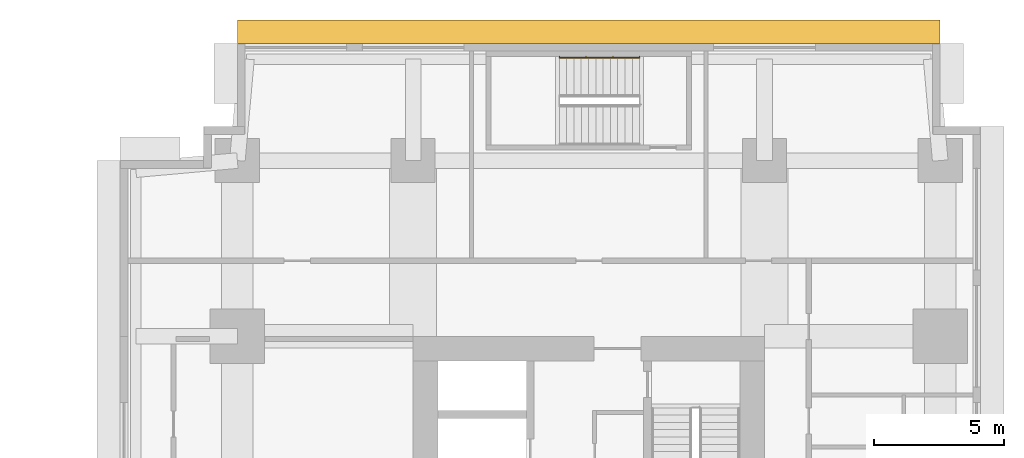
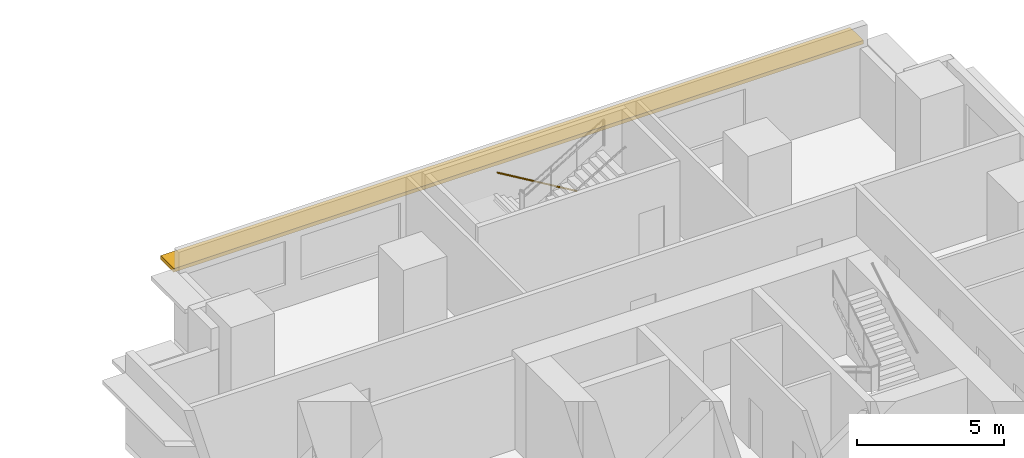
# One storey, part 11 of 11: 1 railing, 1 shading device.
"""IFC4 building model written with IfcOpenShell, lengths in metres."""

from ifc_helpers import new_model, si_unit, direction, frame, origin, origin_2d, place, context, subcontext, project, spatial, rectangle, circle, extrude, material, layer, layer_set, type_object, element, save


model = new_model("IFC4")

# Units and contexts
model_context = context("Model", 3, precision=1e-05, world=origin(), true_north=direction((0.0, 1.0)))
body_context = subcontext(model_context, "Body", "Model", "MODEL_VIEW")
ifc_project = project(units=[si_unit("LENGTHUNIT", "METRE"), si_unit("AREAUNIT", "SQUARE_METRE"), si_unit("VOLUMEUNIT", "CUBIC_METRE"), si_unit("PLANEANGLEUNIT", "RADIAN"), si_unit("MASSUNIT", "GRAM", prefix="KILO")], contexts=[model_context])

# Site, building, storey
site_placement = place(None, origin())
site = spatial("IfcSite", under=ifc_project, at=site_placement, CompositionType="ELEMENT")
building_placement = place(site_placement, origin())
building = spatial("IfcBuilding", under=site, at=building_placement, Name="Namib Vertical Campus", CompositionType="ELEMENT")
storey_placement = place(building_placement, frame((0.0, 0.0, 101.0)))
storey = spatial("IfcBuildingStorey", under=building, at=storey_placement, Name="L23", CompositionType="ELEMENT", Elevation=101.0)

# Railing
ifc_material_1 = material(Name="Steel handrail", Category="steel")
railing_type = type_object("IfcRailingType", Name="Handrail 900", PredefinedType="HANDRAIL", material=ifc_material_1)
railing_placement = place(storey_placement, frame((82.949951171875, 39.949951171875, 0.166748046875)))
element("IfcRailing", 1, at=railing_placement, inside=storey, type_object=railing_type, Name="Handrail HR1 B-S3 L23 1", PredefinedType="HANDRAIL", context=body_context, shape_type="SweptSolid", body=[
    extrude(circle(Radius=0.02392578125, at=origin_2d()), frame((0.0, 0.0, 0.8759765625), z_axis=(-0.859290745958, 0.0, 0.51148745235), x_axis=(0.0, -1.0, 0.0)), (0.0, 0.0, 1.0), 3.584228515625),
    extrude(circle(Radius=0.008056640625, at=origin_2d()), frame((0.0, 0.0, 0.8759765625), z_axis=(0.0, 1.0, 0.0), x_axis=(0.0, 0.0, 1.0)), (0.0, 0.0, 1.0), 0.050048828125),
    extrude(circle(Radius=0.008056640625, at=origin_2d()), frame((-1.026611328125, 0.0, 1.48681640625), z_axis=(0.0, 1.0, 0.0), x_axis=(0.0, 0.0, 1.0)), (0.0, 0.0, 1.0), 0.050048828125),
    extrude(circle(Radius=0.008056640625, at=origin_2d()), frame((-2.05322265625, 0.0, 2.09814453125), z_axis=(0.0, 1.0, 0.0), x_axis=(0.0, 0.0, 1.0)), (0.0, 0.0, 1.0), 0.050048828125),
    extrude(circle(Radius=0.008056640625, at=origin_2d()), frame((-3.079833984375, 0.0, 2.708984375), z_axis=(0.0, 1.0, 0.0), x_axis=(0.0, 0.0, 1.0)), (0.0, 0.0, 1.0), 0.050048828125),
])

# Shading device
ifc_material_2 = material(Name="Concrete C40/50 precast", Category="concrete")
ifc_layer = layer(ifc_material_2, 0.14990234375)
ifc_layer_set = layer_set([ifc_layer], Name="Concrete C40/50 precast")
shading_device_type = type_object("IfcShadingDeviceType", Name="Sunshade hood 900", PredefinedType="SHUTTER", material=ifc_layer_set)
shading_device_placement = place(storey_placement, frame((81.0, 40.949951171875, 2.75), z_axis=(0.0, 0.0, 1.0), x_axis=(-1.0, 0.0, 0.0)))
element("IfcShadingDevice", 2, at=shading_device_placement, inside=storey, type_object=shading_device_type, Name="Sunshade SH1 L23 7", PredefinedType="SHUTTER", context=body_context, shape_type="SweptSolid", body=[
    extrude(rectangle(XDim=27.0, YDim=0.89990234375, at=origin_2d()), origin(), (0.0, 0.0, 1.0), 0.14990234375),
])

save(model, "model.ifc")
